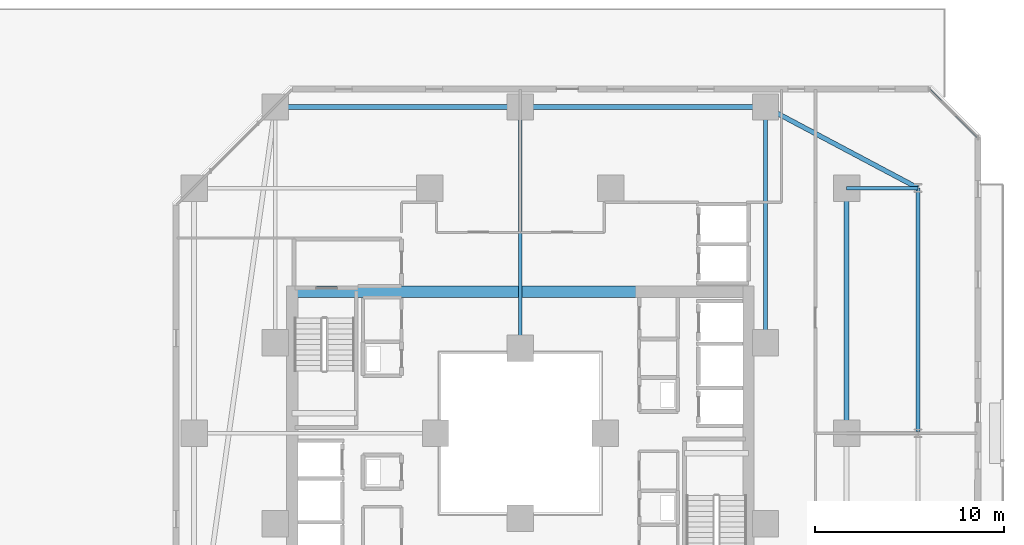
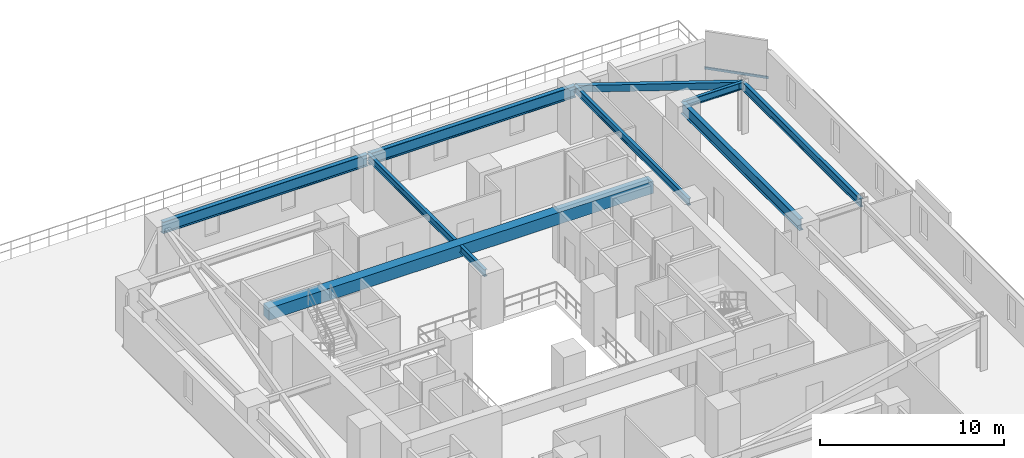
# One storey, part 15 of 34: 9 beams, 1 member, 1 element without a shape of its own.
"""IFC4 building model written with IfcOpenShell, lengths in metres."""

from ifc_helpers import new_model, si_unit, direction, frame, origin, origin_2d, place, context, subcontext, project, spatial, rectangle, hollow_rectangle, i_section, extrude, material, material_profile, profile_set, type_object, element, aggregate, save


model = new_model("IFC4")

# Units and contexts
model_context = context("Model", 3, precision=1e-05, world=origin(), true_north=direction((0.0, 1.0)))
body_context = subcontext(model_context, "Body", "Model", "MODEL_VIEW")
ifc_project = project(units=[si_unit("LENGTHUNIT", "METRE"), si_unit("AREAUNIT", "SQUARE_METRE"), si_unit("VOLUMEUNIT", "CUBIC_METRE"), si_unit("PLANEANGLEUNIT", "RADIAN"), si_unit("MASSUNIT", "GRAM", prefix="KILO")], contexts=[model_context])

# Site, building, storey
site_placement = place(None, origin())
site = spatial("IfcSite", under=ifc_project, at=site_placement, CompositionType="ELEMENT")
building_placement = place(site_placement, origin())
building = spatial("IfcBuilding", under=site, at=building_placement, Name="Thornwick Lancets Civic Towers", CompositionType="ELEMENT")
storey_placement = place(building_placement, frame((0.0, 0.0, 27.89990234375)))
storey = spatial("IfcBuildingStorey", under=building, at=storey_placement, Name="L06", CompositionType="ELEMENT", Elevation=27.89990234375)

# Beams
ifc_material_1 = material(Name="Concrete C60/75", Category="concrete")
ifc_material_profile_1 = material_profile(ifc_material_1, rectangle(XDim=0.60009765625, YDim=0.800048828125, at=origin_2d()), Name="RC 600x800")
ifc_profile_set_1 = profile_set([ifc_material_profile_1], Name="Concrete C60/75")
beam_type_1 = type_object("IfcBeamType", Name="BM_COUP_RC800", PredefinedType="BEAM", material=ifc_profile_set_1)
beam_1_placement = place(storey_placement, frame((76.39990234375, 34.5, 2.960205078125), z_axis=(1.0, 0.0, 0.0), x_axis=(0.0, 1.0, 0.0)))
element("IfcBeam", 1, at=beam_1_placement, inside=storey, type_object=beam_type_1, Name="CB-L06-B1", PredefinedType="BEAM", context=body_context, shape_type="SweptSolid", body=[
    extrude(rectangle(XDim=0.60009765625, YDim=0.800048828125, at=origin_2d()), origin(), (0.0, 0.0, 1.0), 24.2001953125),
])
ifc_material_2 = material(Name="Steel S355JR", Category="steel")
ifc_material_profile_2 = material_profile(ifc_material_2, i_section(OverallWidth=0.2119140625, OverallDepth=0.54443359375, WebThickness=0.0126953125, FlangeThickness=0.021240234375, FilletRadius=0.0126953125, at=origin_2d()), Name="UKB 533x210x122")
ifc_profile_set_2 = profile_set([ifc_material_profile_2], Name="Steel S355JR")
beam_type_2 = type_object("IfcBeamType", Name="BM_EDGE_533_122", PredefinedType="SPANDREL", material=ifc_profile_set_2)
beam_2_placement = place(storey_placement, frame((109.60009765625, 27.080078125, 3.087890625), z_axis=(0.0, 1.0, 0.0), x_axis=(-1.0, 0.0, 0.0)))
element("IfcBeam", 2, at=beam_2_placement, inside=storey, type_object=beam_type_2, Name="BM-EDGE-L06-B-S0-2", PredefinedType="SPANDREL", context=body_context, shape_type="SweptSolid", body=[
    extrude(i_section(OverallWidth=0.2119140625, OverallDepth=0.54443359375, WebThickness=0.0126953125, FlangeThickness=0.021240234375, FilletRadius=0.0126953125, at=origin_2d()), origin(), (0.0, 0.0, 1.0), 12.919921875),
])
ifc_material_profile_3 = material_profile(ifc_material_2, i_section(OverallWidth=0.26806640625, OverallDepth=0.769775390625, WebThickness=0.015625, FlangeThickness=0.025390625, FilletRadius=0.0166015625, at=origin_2d()), Name="UKB 762x267x197")
ifc_profile_set_3 = profile_set([ifc_material_profile_3], Name="Steel S355JR")
beam_type_3 = type_object("IfcBeamType", Name="BM_GIRD_762_197", PredefinedType="BEAM", material=ifc_profile_set_3)
beam_3_placement = place(storey_placement, frame((105.800048828125, 27.080078125, 2.97509765625), z_axis=(0.0, 1.0, 0.0), x_axis=(-1.0, 0.0, 0.0)))
element("IfcBeam", 3, at=beam_3_placement, inside=storey, type_object=beam_type_3, Name="BM-SPINE-L06-B-1-2", PredefinedType="BEAM", context=body_context, shape_type="SweptSolid", body=[
    extrude(i_section(OverallWidth=0.26806640625, OverallDepth=0.769775390625, WebThickness=0.015625, FlangeThickness=0.025390625, FilletRadius=0.0166015625, at=origin_2d()), origin(), (0.0, 0.0, 1.0), 12.919921875),
])
beam_4_placement = place(storey_placement, frame((101.5, 44.300048828125, 2.97509765625), z_axis=(-1.0, 0.0, 0.0), x_axis=(0.0, -1.0, 0.0)))
element("IfcBeam", 4, at=beam_4_placement, inside=storey, type_object=beam_type_3, Name="BM-SPINE-L06-B-3-4", PredefinedType="BEAM", context=body_context, shape_type="SweptSolid", body=[
    extrude(i_section(OverallWidth=0.26806640625, OverallDepth=0.769775390625, WebThickness=0.015625, FlangeThickness=0.025390625, FilletRadius=0.0166015625, at=origin_2d()), origin(), (0.0, 0.0, 1.0), 13.0),
])
beam_5_placement = place(storey_placement, frame((88.419921875, 44.300048828125, 2.97509765625), z_axis=(-1.0, 0.0, 0.0), x_axis=(0.0, -1.0, 0.0)))
element("IfcBeam", 5, at=beam_5_placement, inside=storey, type_object=beam_type_3, Name="BM-SPINE-L06-B-4-5", PredefinedType="BEAM", context=body_context, shape_type="SweptSolid", body=[
    extrude(i_section(OverallWidth=0.26806640625, OverallDepth=0.769775390625, WebThickness=0.015625, FlangeThickness=0.025390625, FilletRadius=0.0166015625, at=origin_2d()), origin(), (0.0, 0.0, 1.0), 12.919921875),
])
ifc_material_profile_4 = material_profile(ifc_material_2, i_section(OverallWidth=0.19287109375, OverallDepth=0.46728515625, WebThickness=0.011474609375, FlangeThickness=0.01953125, FilletRadius=0.01025390625, at=origin_2d()), Name="UKB 457x191x98")
ifc_profile_set_4 = profile_set([ifc_material_profile_4], Name="Steel S355JR")
beam_type_4 = type_object("IfcBeamType", Name="BM_JOIST_457_98", PredefinedType="JOIST", material=ifc_profile_set_4)
beam_6_placement = place(storey_placement, frame((105.800048828125, 40.0, 3.12646484375), z_axis=(1.0, 0.0, 0.0), x_axis=(0.0, 1.0, 0.0)))
element("IfcBeam", 6, at=beam_6_placement, inside=storey, type_object=beam_type_4, Name="BM-RAD-L06-B03", PredefinedType="JOIST", context=body_context, shape_type="SweptSolid", body=[
    extrude(i_section(OverallWidth=0.19287109375, OverallDepth=0.46728515625, WebThickness=0.011474609375, FlangeThickness=0.01953125, FilletRadius=0.01025390625, at=origin_2d()), origin(), (0.0, 0.0, 1.0), 3.800048828125),
])
beam_7_placement = place(storey_placement, frame((101.5, 31.800048828125, 3.12646484375), z_axis=(0.0, 1.0, 0.0), x_axis=(-1.0, 0.0, 0.0)))
element("IfcBeam", 7, at=beam_7_placement, inside=storey, type_object=beam_type_4, Name="BM-RADIN-L06-B04", PredefinedType="JOIST", context=body_context, shape_type="SweptSolid", body=[
    extrude(i_section(OverallWidth=0.19287109375, OverallDepth=0.46728515625, WebThickness=0.011474609375, FlangeThickness=0.01953125, FilletRadius=0.01025390625, at=origin_2d()), origin(), (0.0, 0.0, 1.0), 12.5),
])
beam_8_placement = place(storey_placement, frame((88.5, 31.5, 3.12646484375), z_axis=(0.0, 1.0, 0.0), x_axis=(-1.0, 0.0, 0.0)))
element("IfcBeam", 8, at=beam_8_placement, inside=storey, type_object=beam_type_4, Name="BM-RADIN-L06-B05", PredefinedType="JOIST", context=body_context, shape_type="SweptSolid", body=[
    extrude(i_section(OverallWidth=0.19287109375, OverallDepth=0.46728515625, WebThickness=0.011474609375, FlangeThickness=0.01953125, FilletRadius=0.01025390625, at=origin_2d()), origin(), (0.0, 0.0, 1.0), 12.800048828125),
])
ifc_material_profile_5 = material_profile(ifc_material_2, hollow_rectangle(XDim=0.25, YDim=0.449951171875, WallThickness=0.01611328125, at=origin_2d()), Name="RHS 450x250x16")
ifc_profile_set_5 = profile_set([ifc_material_profile_5], Name="Steel S355JR")
beam_type_5 = type_object("IfcBeamType", Name="BM_RING_RHS450", PredefinedType="BEAM", material=ifc_profile_set_5)
beam_9_placement = place(storey_placement, frame((109.60009765625, 40.0, 3.135009765625), z_axis=(-0.883256999818, 0.468889189758, 0.0), x_axis=(-0.468889189758, -0.883256999818, 0.0)))
element("IfcBeam", 9, at=beam_9_placement, inside=storey, type_object=beam_type_5, Name="BM-CHAMF-L06-B-C0", PredefinedType="BEAM", context=body_context, shape_type="SweptSolid", body=[
    extrude(hollow_rectangle(XDim=0.25, YDim=0.449951171875, WallThickness=0.01611328125, at=origin_2d()), origin(), (0.0, 0.0, 1.0), 9.170654296875),
])

# Curtain wall, member
ifc_material_3 = material(Name="Low-zone chamfered-corner unitised glass curtain wall", Category="glass")
curtain_wall_type = type_object("IfcCurtainWallType", Name="CW_SYS_03", PredefinedType="NOTDEFINED", material=ifc_material_3)
curtain_wall_placement = place(storey_placement, origin())
curtain_wall = element("IfcCurtainWall", 10, at=curtain_wall_placement, inside=storey, type_object=curtain_wall_type, Name="L06 Curtain Wall CW-L06-B-E3", PredefinedType="NOTDEFINED")
ifc_material_4 = material(Name="Thermally broken bronze aluminium S355", Category="steel")
ifc_material_profile_6 = material_profile(ifc_material_4, hollow_rectangle(XDim=0.074951171875, YDim=0.14990234375, WallThickness=0.0048828125, at=origin_2d()), Name="RHS 150x75x5")
ifc_profile_set_6 = profile_set([ifc_material_profile_6], Name="Thermally broken bronze aluminium S355")
member_type = type_object("IfcMemberType", Name="CW_TRN_150", PredefinedType="USERDEFINED", material=ifc_profile_set_6)
member_placement = place(storey_placement, frame((112.750732421875, 42.6953125, 0.85009765625), z_axis=(-0.707106781187, 0.707106781187, 0.0), x_axis=(-0.707106781187, -0.707106781187, 0.0)))
member = element("IfcMember", 11, at=member_placement, type_object=member_type, Name="CW-L06-B-E3 Transom 0", ObjectType="TRANSOM", PredefinedType="USERDEFINED", context=body_context, shape_type="SweptSolid", body=[
    extrude(hollow_rectangle(XDim=0.074951171875, YDim=0.14990234375, WallThickness=0.0048828125, at=origin_2d()), origin(), (0.0, 0.0, 1.0), 3.614013671875),
])
aggregate(curtain_wall, [member])

save(model, "model.ifc")
